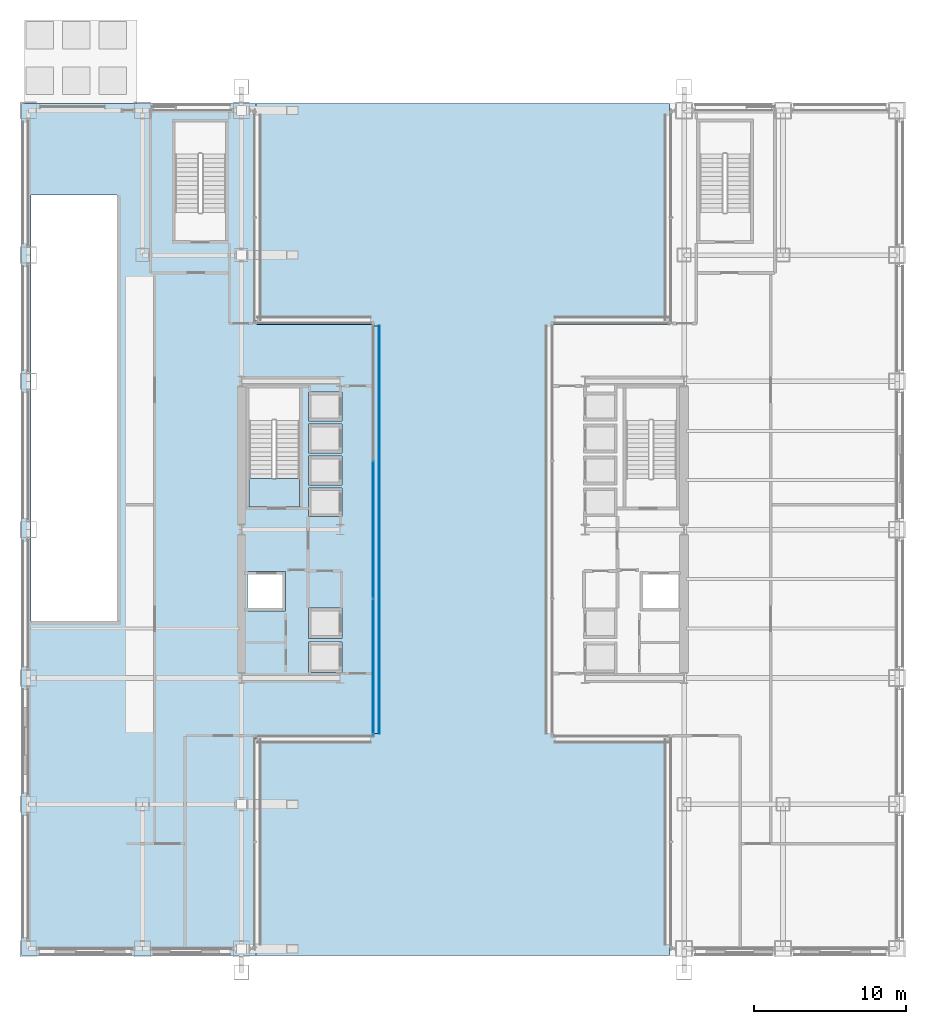
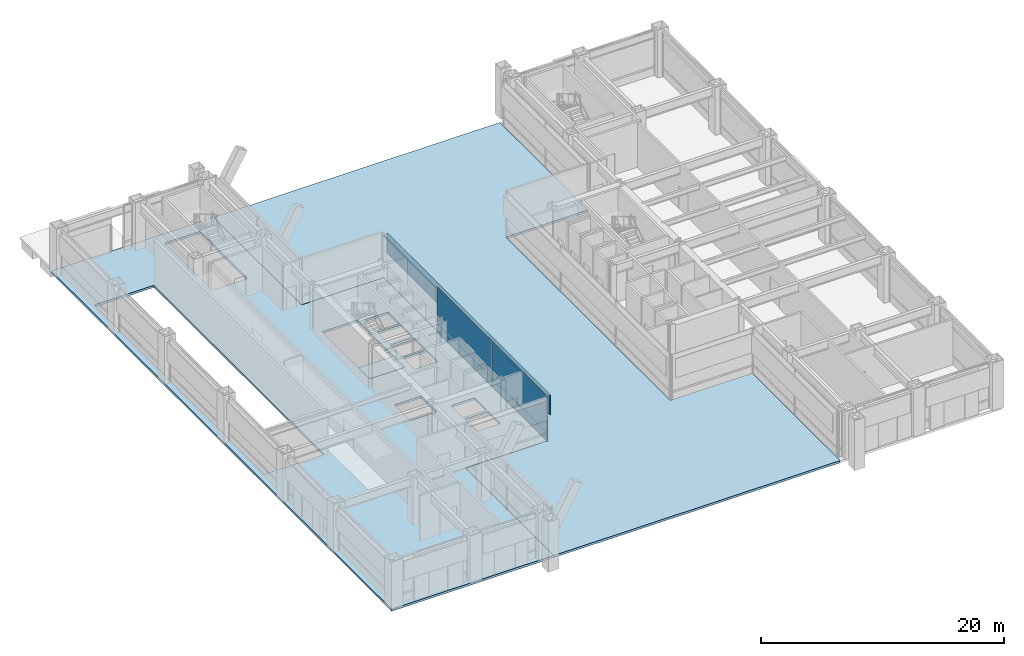
# One storey, part 23 of 37: 6 plates, 3 slabs, 1 element without a shape of its own.
"""IFC4 building model written with IfcOpenShell, lengths in metres."""

from ifc_helpers import new_model, si_unit, direction, frame, origin, origin_2d, place, context, subcontext, project, spatial, polyline, rectangle, outline, extrude, material, layer, layer_set, type_object, element, aggregate, save


model = new_model("IFC4")

# Units and contexts
model_context = context("Model", 3, precision=1e-05, world=origin(), true_north=direction((0.0, 1.0)))
body_context = subcontext(model_context, "Body", "Model", "MODEL_VIEW")
ifc_project = project(units=[si_unit("LENGTHUNIT", "METRE"), si_unit("AREAUNIT", "SQUARE_METRE"), si_unit("VOLUMEUNIT", "CUBIC_METRE"), si_unit("PLANEANGLEUNIT", "RADIAN"), si_unit("MASSUNIT", "GRAM", prefix="KILO")], contexts=[model_context])

# Site, building, storey
site_placement = place(None, origin())
site = spatial("IfcSite", under=ifc_project, at=site_placement, CompositionType="ELEMENT")
building_placement = place(site_placement, origin())
building = spatial("IfcBuilding", under=site, at=building_placement, Name="Brelmoor Portico Tower", CompositionType="ELEMENT")
storey_placement = place(building_placement, origin())
storey = spatial("IfcBuildingStorey", under=building, at=storey_placement, Name="L00", CompositionType="ELEMENT", Elevation=0.0)

# Curtain wall, plates
ifc_material_1 = material(Name="Anodised Aluminium Alloy 6063-T6", Category="aluminium")
ifc_layer_1 = layer(ifc_material_1, 0.179931640625)
ifc_layer_set_1 = layer_set([ifc_layer_1], Name="Anodised Aluminium Alloy 6063-T6")
curtain_wall_type = type_object("IfcCurtainWallType", Name="CW-PODIUM-ARCH", PredefinedType="NOTDEFINED", material=ifc_layer_set_1)
curtain_wall_placement = place(storey_placement, origin())
curtain_wall = element("IfcCurtainWall", 1, at=curtain_wall_placement, inside=storey, type_object=curtain_wall_type, Name="L00 Curtain Wall CW-L00-15", PredefinedType="NOTDEFINED")
ifc_material_2 = material(Name="Double-Silver Low-E Insulated Glazing", Category="glass")
ifc_layer_2 = layer(ifc_material_2, 0.035888671875)
ifc_layer_set_2 = layer_set([ifc_layer_2], Name="Double-Silver Low-E Insulated Glazing")
plate_type_1 = type_object("IfcPlateType", Name="PT-CW-GLASS", PredefinedType="CURTAIN_PANEL", material=ifc_layer_set_2)
plate_1_placement = place(storey_placement, frame((-5.8798828125, -9.05322265625, 0.85009765625), z_axis=(0.0, 0.0, 1.0), x_axis=(0.0, 1.0, 0.0)))
plate_1 = element("IfcPlate", 2, at=plate_1_placement, type_object=plate_type_1, Name="CW-L00-15 Vision Glass Panel 00", PredefinedType="CURTAIN_PANEL", context=body_context, shape_type="SweptSolid", body=[
    extrude(rectangle(XDim=9.023193359375, YDim=0.035888671875, at=origin_2d()), origin(), (0.0, 0.0, 1.0), 3.72998046875),
])
plate_2_placement = place(storey_placement, frame((-5.8798828125, 0.0, 0.85009765625), z_axis=(0.0, 0.0, 1.0), x_axis=(0.0, 1.0, 0.0)))
plate_2 = element("IfcPlate", 3, at=plate_2_placement, type_object=plate_type_1, Name="CW-L00-15 Vision Glass Panel 01", PredefinedType="CURTAIN_PANEL", context=body_context, shape_type="SweptSolid", body=[
    extrude(rectangle(XDim=9.023193359375, YDim=0.035888671875, at=origin_2d()), origin(), (0.0, 0.0, 1.0), 3.72998046875),
])
ifc_material_3 = material(Name="Pale Champagne Anodised Aluminium Panel", Category="aluminium")
ifc_layer_3 = layer(ifc_material_3, 0.050048828125)
ifc_layer_set_3 = layer_set([ifc_layer_3], Name="Pale Champagne Anodised Aluminium Panel")
plate_type_2 = type_object("IfcPlateType", Name="PT-CW-SPANDREL", PredefinedType="SHEET", material=ifc_layer_set_3)
plate_3_placement = place(storey_placement, frame((-5.8798828125, -9.05322265625, 0.0), z_axis=(0.0, 0.0, 1.0), x_axis=(0.0, 1.0, 0.0)))
plate_3 = element("IfcPlate", 4, at=plate_3_placement, type_object=plate_type_2, Name="CW-L00-15 Spandrel Panel 00", PredefinedType="SHEET", context=body_context, shape_type="SweptSolid", body=[
    extrude(rectangle(XDim=9.023193359375, YDim=0.050048828125, at=origin_2d()), origin(), (0.0, 0.0, 1.0), 0.85009765625),
])
plate_4_placement = place(storey_placement, frame((-5.8798828125, 0.0, 0.0), z_axis=(0.0, 0.0, 1.0), x_axis=(0.0, 1.0, 0.0)))
plate_4 = element("IfcPlate", 5, at=plate_4_placement, type_object=plate_type_2, Name="CW-L00-15 Spandrel Panel 01", PredefinedType="SHEET", context=body_context, shape_type="SweptSolid", body=[
    extrude(rectangle(XDim=9.023193359375, YDim=0.050048828125, at=origin_2d()), origin(), (0.0, 0.0, 1.0), 0.85009765625),
])
aggregate(curtain_wall, [plate_3, plate_1, plate_4, plate_2])

# Plates
ifc_material_4 = material(Name="Powder-Coated Aluminium Shuttered Jalousie Louvre", Category="aluminium")
ifc_layer_4 = layer(ifc_material_4, 0.06005859375)
ifc_layer_set_4 = layer_set([ifc_layer_4], Name="Powder-Coated Aluminium Shuttered Jalousie Louvre")
plate_type_3 = type_object("IfcPlateType", Name="PT-JALOUSIE-SHUTTER", PredefinedType="SHEET", material=ifc_layer_set_4)
plate_5_placement = place(storey_placement, frame((-5.5, 0.0, 2.4404296875), z_axis=(0.0, 0.0, 1.0), x_axis=(0.0, 1.0, 0.0)))
element("IfcPlate", 6, at=plate_5_placement, inside=storey, type_object=plate_type_3, Name="CW-L00-15 Perforated Jalousie Solar Screen", PredefinedType="SHEET", context=body_context, shape_type="SweptSolid", body=[
    extrude(rectangle(XDim=26.800048828125, YDim=0.06494140625, at=origin_2d()), origin(), (0.0, 0.0, 1.0), 1.939697265625),
])
ifc_material_5 = material(Name="Pale Champagne Perforated Aluminium Solar Screen", Category="aluminium")
ifc_layer_5 = layer(ifc_material_5, 0.054931640625)
ifc_layer_set_5 = layer_set([ifc_layer_5], Name="Pale Champagne Perforated Aluminium Solar Screen")
plate_type_4 = type_object("IfcPlateType", Name="PT-SOLAR-LOUVRE", PredefinedType="SHEET", material=ifc_layer_set_5)
plate_6_placement = place(storey_placement, frame((-5.669921875, 0.0, 4.27001953125), z_axis=(0.0, 0.0, 1.0), x_axis=(0.0, 1.0, 0.0)))
element("IfcPlate", 7, at=plate_6_placement, inside=storey, type_object=plate_type_4, Name="CW-L00-15 Caribbean Brise-Soleil Solar Screen", PredefinedType="SHEET", context=body_context, shape_type="SweptSolid", body=[
    extrude(rectangle(XDim=26.800048828125, YDim=0.4599609375, at=origin_2d()), origin(), (0.0, 0.0, 1.0), 0.139892578125),
])

# Slabs
ifc_material_6 = material(Name="Concrete C40", Category="concrete")
ifc_layer_6 = layer(ifc_material_6, 0.219970703125)
ifc_layer_set_6 = layer_set([ifc_layer_6], Name="Concrete C40")
slab_type_1 = type_object("IfcSlabType", Name="SL-FLOOR-220", PredefinedType="FLOOR", material=ifc_layer_set_6)
slab_1_placement = place(storey_placement, frame((0.0, 0.0, -0.219970703125)))
element("IfcSlab", 8, at=slab_1_placement, inside=storey, type_object=slab_type_1, Name="L00 West Pier Floor Slab", PredefinedType="FLOOR", context=body_context, shape_type="SweptSolid", body=[
    extrude(outline(polyline([(-29.0, -28.0), (-13.60009765625, -28.0), (-13.60009765625, -13.5), (-5.800048828125, -13.5), (-5.800048828125, 13.5), (-13.60009765625, 13.5), (-13.60009765625, 28.0), (-29.0, 28.0), (-29.0, -28.0)]), holes=[polyline([(-10.72998046875, 1.5), (-10.72998046875, 9.300048828125), (-14.050048828125, 9.300048828125), (-14.050048828125, 1.5), (-10.72998046875, 1.5)]), polyline([(-15.580078125, 19.0), (-15.580078125, 26.800048828125), (-18.89990234375, 26.800048828125), (-18.89990234375, 19.0), (-15.580078125, 19.0)]), polyline([(-10.14990234375, 0.85009765625), (-7.949951171875, 0.85009765625), (-7.949951171875, 2.75), (-10.14990234375, 2.75), (-10.14990234375, 0.85009765625)]), polyline([(-10.14990234375, 2.949951171875), (-7.949951171875, 2.949951171875), (-7.949951171875, 4.85009765625), (-10.14990234375, 4.85009765625), (-10.14990234375, 2.949951171875)]), polyline([(-10.14990234375, 5.050048828125), (-7.949951171875, 5.050048828125), (-7.949951171875, 6.949951171875), (-10.14990234375, 6.949951171875), (-10.14990234375, 5.050048828125)]), polyline([(-10.14990234375, 7.14990234375), (-7.949951171875, 7.14990234375), (-7.949951171875, 9.050048828125), (-10.14990234375, 9.050048828125), (-10.14990234375, 7.14990234375)]), polyline([(-10.14990234375, -9.39990234375), (-7.949951171875, -9.39990234375), (-7.949951171875, -7.39990234375), (-10.14990234375, -7.39990234375), (-10.14990234375, -9.39990234375)]), polyline([(-10.14990234375, -7.14990234375), (-7.949951171875, -7.14990234375), (-7.949951171875, -5.14990234375), (-10.14990234375, -5.14990234375), (-10.14990234375, -7.14990234375)]), polyline([(-14.14990234375, -5.35009765625), (-11.64990234375, -5.35009765625), (-11.64990234375, -2.75), (-14.14990234375, -2.75), (-14.14990234375, -5.35009765625)]), polyline([(-28.3798828125, -6.0), (-22.719970703125, -6.0), (-22.719970703125, 22.0), (-28.3798828125, 22.0), (-28.3798828125, -6.0)])]), origin(), (0.0, 0.0, 1.0), 0.219970703125),
])
ifc_layer_7 = layer(ifc_material_6, 0.219970703125)
ifc_layer_set_7 = layer_set([ifc_layer_7], Name="Concrete C40")
slab_type_2 = type_object("IfcSlabType", Name="SL-PAVING-220", PredefinedType="USERDEFINED", material=ifc_layer_set_7)
slab_2_placement = place(storey_placement, frame((0.0, 0.0, -0.219970703125)))
element("IfcSlab", 9, at=slab_2_placement, inside=storey, type_object=slab_type_2, Name="Portico Arch Public Plaza Paving PV-01", ObjectType="PAVING", PredefinedType="USERDEFINED", context=body_context, shape_type="SweptSolid", body=[
    extrude(outline(polyline([(-13.60009765625, -28.0), (13.60009765625, -28.0), (13.60009765625, -13.5), (5.800048828125, -13.5), (5.800048828125, 13.5), (13.60009765625, 13.5), (13.60009765625, 28.0), (-13.60009765625, 28.0), (-13.60009765625, 13.5), (-5.800048828125, 13.5), (-5.800048828125, -13.5), (-13.60009765625, -13.5), (-13.60009765625, -28.0)])), origin(), (0.0, 0.0, 1.0), 0.219970703125),
])
ifc_layer_8 = layer(ifc_material_6, 0.219970703125)
ifc_layer_set_8 = layer_set([ifc_layer_8], Name="Concrete C40")
slab_type_3 = type_object("IfcSlabType", Name="SL-STAIR-FL220", PredefinedType="LANDING", material=ifc_layer_set_8)
slab_3_placement = place(storey_placement, frame((0.0, 0.0, -0.219970703125)))
element("IfcSlab", 10, at=slab_3_placement, inside=storey, type_object=slab_type_3, Name="L00 ST-W Structural Floor Landing Slab", PredefinedType="LANDING", context=body_context, shape_type="SweptSolid", body=[
    extrude(outline(polyline([(-10.72998046875, 1.5), (-10.72998046875, 3.35009765625), (-14.050048828125, 3.35009765625), (-14.050048828125, 1.5), (-10.72998046875, 1.5)])), origin(), (0.0, 0.0, 1.0), 0.219970703125),
])

save(model, "model.ifc")
